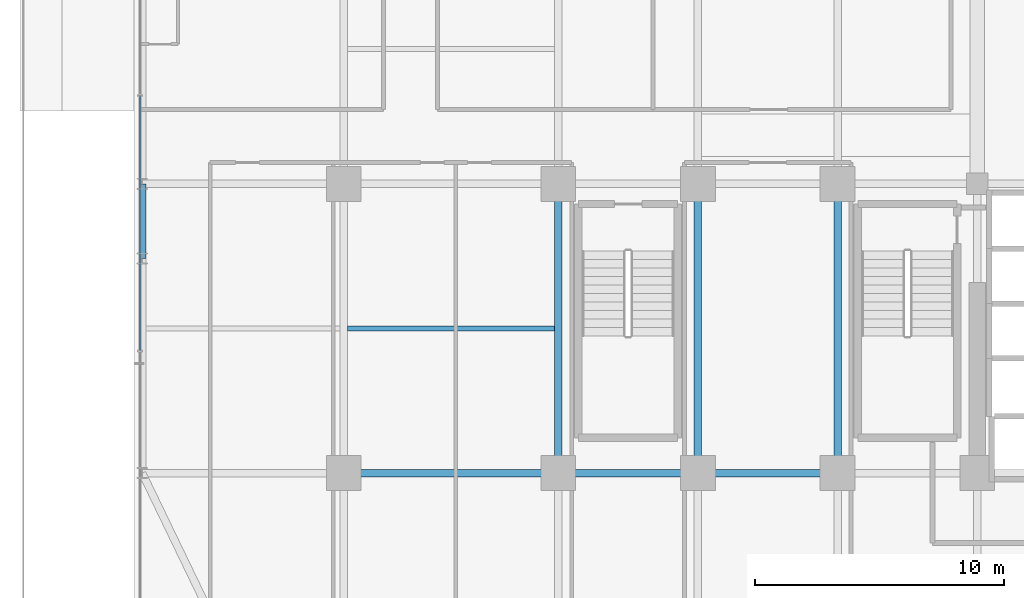
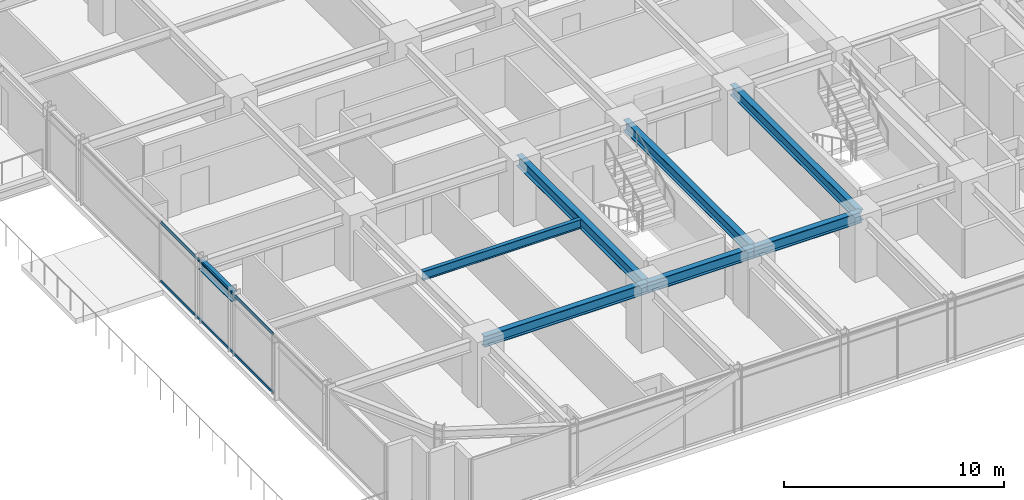
# One storey, part 9 of 39: 8 beams, 2 members, 1 element without a shape of its own.
"""IFC4 building model written with IfcOpenShell, lengths in metres."""

from ifc_helpers import new_model, si_unit, direction, frame, origin, origin_2d, place, context, subcontext, project, spatial, hollow_rectangle, i_section, extrude, source, transform, mapped, material, material_profile, profile_set, type_object, element, aggregate, save


model = new_model("IFC4")

# Units and contexts
model_context = context("Model", 3, precision=1e-05, world=origin(), true_north=direction((0.0, 1.0)))
body_context = subcontext(model_context, "Body", "Model", "MODEL_VIEW")
ifc_project = project(units=[si_unit("LENGTHUNIT", "METRE"), si_unit("AREAUNIT", "SQUARE_METRE"), si_unit("VOLUMEUNIT", "CUBIC_METRE"), si_unit("PLANEANGLEUNIT", "RADIAN"), si_unit("MASSUNIT", "GRAM", prefix="KILO")], contexts=[model_context])

# Site, building, storey
site_placement = place(None, origin())
site = spatial("IfcSite", under=ifc_project, at=site_placement, CompositionType="ELEMENT")
building_placement = place(site_placement, origin())
building = spatial("IfcBuilding", under=site, at=building_placement, Name="Nahalor Promenade Grand Hotel", CompositionType="ELEMENT")
storey_placement = place(building_placement, frame((0.0, 0.0, 32.39990234375)))
storey = spatial("IfcBuildingStorey", under=building, at=storey_placement, Name="L06", CompositionType="ELEMENT", Elevation=32.39990234375)

# Beams
ifc_material_1 = material(Name="Steel S355JR", Category="steel")
ifc_material_profile_1 = material_profile(ifc_material_1, i_section(OverallWidth=0.3, OverallDepth=0.6, WebThickness=0.0155, FlangeThickness=0.03, at=origin_2d()), Name="HEB 600")
ifc_profile_set_1 = profile_set([ifc_material_profile_1], Name="Steel S355JR")
beam_type_1 = type_object("IfcBeamType", Name="Beam-Girder-HEB600", PredefinedType="BEAM", material=ifc_profile_set_1)
shared_shape_1 = source(origin(), body_context, "Body", "SweptSolid", [
    extrude(i_section(OverallWidth=0.3, OverallDepth=0.6, WebThickness=0.0155, FlangeThickness=0.03, at=origin_2d()), origin(), (0.0, 0.0, 1.0), 8.60009765625),
])
beam_1_placement = place(storey_placement, frame((-17.0, -17.0, 3.070068359375), z_axis=(1.0, 0.0, 0.0), x_axis=(0.0, 1.0, 0.0)))
element("IfcBeam", 1, at=beam_1_placement, inside=storey, type_object=beam_type_1, Name="BM-L06-GX-0-1", PredefinedType="BEAM", context=body_context, shape_type="MappedRepresentation", body=[
    mapped(shared_shape_1, transform((0.0, 0.0, 0.0), scale=1.0)),
])
shared_shape_2 = source(origin(), body_context, "Body", "SweptSolid", [
    extrude(i_section(OverallWidth=0.3, OverallDepth=0.6, WebThickness=0.0155, FlangeThickness=0.03, at=origin_2d()), origin(), (0.0, 0.0, 1.0), 5.599853515625),
])
beam_2_placement = place(storey_placement, frame((-8.39990234375, -17.0, 3.070068359375), z_axis=(1.0, 0.0, 0.0), x_axis=(0.0, 1.0, 0.0)))
element("IfcBeam", 2, at=beam_2_placement, inside=storey, type_object=beam_type_1, Name="BM-L06-GX-0-2", PredefinedType="BEAM", context=body_context, shape_type="MappedRepresentation", body=[
    mapped(shared_shape_2, transform((0.0, 0.0, 0.0), scale=1.0)),
])
shared_shape_3 = source(origin(), body_context, "Body", "SweptSolid", [
    extrude(i_section(OverallWidth=0.3, OverallDepth=0.6, WebThickness=0.0155, FlangeThickness=0.03, at=origin_2d()), origin(), (0.0, 0.0, 1.0), 5.60009765625),
])
beam_3_placement = place(storey_placement, frame((-2.800048828125, -17.0, 3.070068359375), z_axis=(1.0, 0.0, 0.0), x_axis=(0.0, 1.0, 0.0)))
element("IfcBeam", 3, at=beam_3_placement, inside=storey, type_object=beam_type_1, Name="BM-L06-GX-0-3", PredefinedType="BEAM", context=body_context, shape_type="MappedRepresentation", body=[
    mapped(shared_shape_3, transform((0.0, 0.0, 0.0), scale=1.0)),
])
shared_shape_4 = source(origin(), body_context, "Body", "SweptSolid", [
    extrude(i_section(OverallWidth=0.3, OverallDepth=0.6, WebThickness=0.0155, FlangeThickness=0.03, at=origin_2d()), origin(), (0.0, 0.0, 1.0), 11.60009765625),
])
for number, where, z_axis, x_axis, name in (
    (4, (-8.39990234375, -17.0, 3.070068359375), (0.0, 1.0, 0.0), (-1.0, 0.0, 0.0), "BM-L06-GY-1-1"),
    (5, (-2.800048828125, -17.0, 3.070068359375), (0.0, 1.0, 0.0), (-1.0, 0.0, 0.0), "BM-L06-GY-2-1"),
    (6, (2.800048828125, -17.0, 3.070068359375), (0.0, 1.0, 0.0), (-1.0, 0.0, 0.0), "BM-L06-GY-3-1"),
):
    element("IfcBeam", number, at=place(storey_placement, frame(where, z_axis=z_axis, x_axis=x_axis)), inside=storey, type_object=beam_type_1, Name=name, PredefinedType="BEAM", context=body_context, shape_type="MappedRepresentation", body=[
        mapped(shared_shape_4, transform((0.0, 0.0, 0.0), scale=1.0)),
    ])
ifc_material_profile_2 = material_profile(ifc_material_1, i_section(OverallWidth=0.3, OverallDepth=0.5, WebThickness=0.0145, FlangeThickness=0.028, at=origin_2d()), Name="HEB 500")
ifc_profile_set_2 = profile_set([ifc_material_profile_2], Name="Steel S355JR")
beam_type_2 = type_object("IfcBeamType", Name="Beam-Spandrel-HEB500", PredefinedType="SPANDREL", material=ifc_profile_set_2)
shared_shape_5 = source(origin(), body_context, "Body", "SweptSolid", [
    extrude(i_section(OverallWidth=0.3, OverallDepth=0.5, WebThickness=0.0145, FlangeThickness=0.028, at=origin_2d()), origin(), (0.0, 0.0, 1.0), 3.0),
])
beam_4_placement = place(storey_placement, frame((-25.080078125, -8.39990234375, 3.1201171875), z_axis=(0.0, 1.0, 0.0), x_axis=(-1.0, 0.0, 0.0)))
element("IfcBeam", 7, at=beam_4_placement, inside=storey, type_object=beam_type_2, Name="BM-L06-SP-W-1", PredefinedType="SPANDREL", context=body_context, shape_type="MappedRepresentation", body=[
    mapped(shared_shape_5, transform((0.0, 0.0, 0.0), scale=1.0)),
])
ifc_material_profile_3 = material_profile(ifc_material_1, i_section(OverallWidth=0.2, OverallDepth=0.5, WebThickness=0.0102, FlangeThickness=0.016, at=origin_2d()), Name="IPE 500")
ifc_profile_set_3 = profile_set([ifc_material_profile_3], Name="Steel S355JR")
beam_type_3 = type_object("IfcBeamType", Name="Beam-Joist-IPE500", PredefinedType="JOIST", material=ifc_profile_set_3)
shared_shape_6 = source(origin(), body_context, "Body", "SweptSolid", [
    extrude(i_section(OverallWidth=0.2, OverallDepth=0.5, WebThickness=0.0102, FlangeThickness=0.016, at=origin_2d()), origin(), (0.0, 0.0, 1.0), 8.300048828125),
])
beam_5_placement = place(storey_placement, frame((-16.85009765625, -11.199951171875, 3.1201171875), z_axis=(1.0, 0.0, 0.0), x_axis=(0.0, 1.0, 0.0)))
element("IfcBeam", 8, at=beam_5_placement, inside=storey, type_object=beam_type_3, Name="BM-L06-JSW-0-1", PredefinedType="JOIST", context=body_context, shape_type="MappedRepresentation", body=[
    mapped(shared_shape_6, transform((0.0, 0.0, 0.0), scale=1.0)),
])

# Curtain wall, members
ifc_material_2 = material(Name="Anodised Bronze Aluminium EN AW-6063 T6", Category="aluminium")
curtain_wall_type = type_object("IfcCurtainWallType", Name="CW2 Typical Hotel Flush Bronze Unitised Curtain Wall", PredefinedType="USERDEFINED", material=ifc_material_2)
curtain_wall_placement = place(storey_placement, origin())
curtain_wall = element("IfcCurtainWall", 9, at=curtain_wall_placement, inside=storey, type_object=curtain_wall_type, Name="L06 Curtain Wall CW-L06-W-1", ObjectType="UNITISED_CURTAIN_WALL", PredefinedType="USERDEFINED")
ifc_material_profile_4 = material_profile(ifc_material_2, hollow_rectangle(XDim=0.065, YDim=0.13, WallThickness=0.004, at=origin_2d()), Name="CWT 65x130x4")
ifc_profile_set_4 = profile_set([ifc_material_profile_4], Name="Anodised Bronze Aluminium EN AW-6063 T6")
member_type = type_object("IfcMemberType", Name="CWT2 Typical Bronze Transom 65x130", PredefinedType="USERDEFINED", material=ifc_profile_set_4)
shared_shape_7 = source(origin(), body_context, "Body", "SweptSolid", [
    extrude(hollow_rectangle(XDim=0.065, YDim=0.13, WallThickness=0.004, at=origin_2d()), origin(), (0.0, 0.0, 1.0), 10.1884765625),
])
member_1_placement = place(storey_placement, frame((-25.159912109375, -12.07421875, 0.065185546875), z_axis=(0.0, 1.0, 0.0), x_axis=(-1.0, 0.0, 0.0)))
member_1 = element("IfcMember", 10, at=member_1_placement, type_object=member_type, Name="CW-L06-W-1 Transom 1-0", ObjectType="TRANSOM", PredefinedType="USERDEFINED", context=body_context, shape_type="MappedRepresentation", body=[
    mapped(shared_shape_7, transform((0.0, 0.0, 0.0), scale=1.0)),
])
member_2_placement = place(storey_placement, frame((-25.159912109375, -12.07421875, 3.30517578125), z_axis=(0.0, 1.0, 0.0), x_axis=(-1.0, 0.0, 0.0)))
member_2 = element("IfcMember", 11, at=member_2_placement, type_object=member_type, Name="CW-L06-W-1 Transom 1-1", ObjectType="TRANSOM", PredefinedType="USERDEFINED", context=body_context, shape_type="MappedRepresentation", body=[
    mapped(shared_shape_7, transform((0.0, 0.0, 0.0), scale=1.0)),
])
aggregate(curtain_wall, [member_1, member_2])

save(model, "model.ifc")
